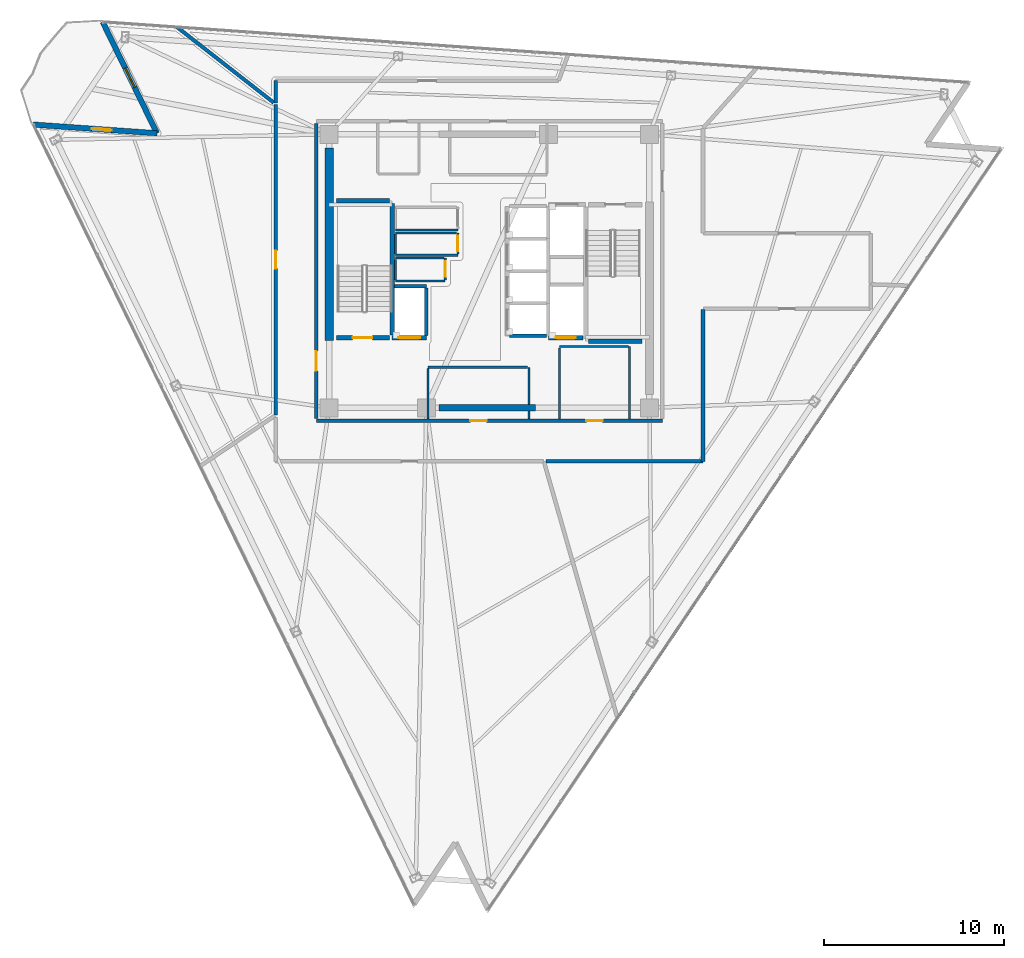
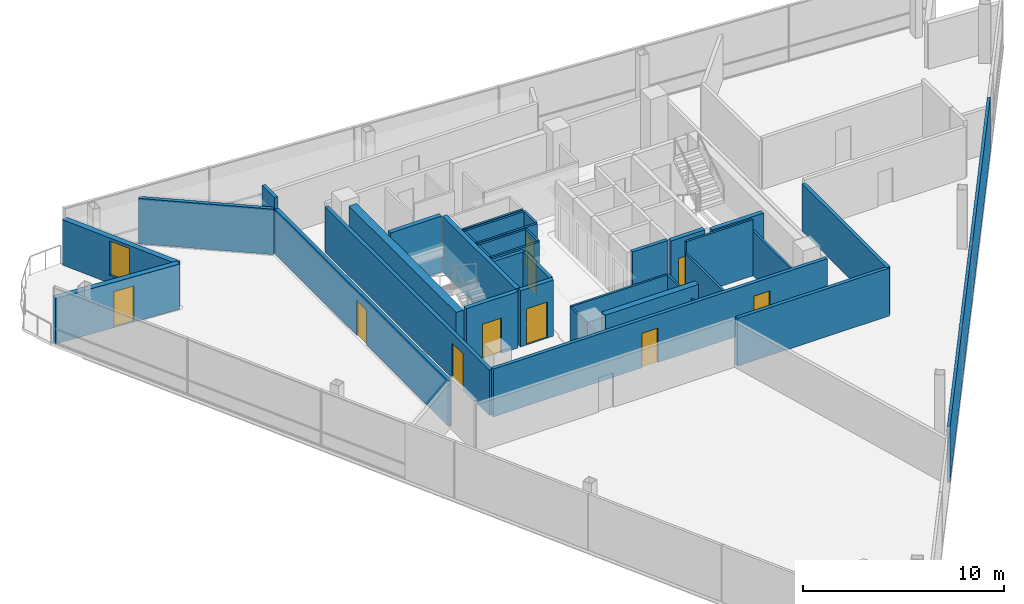
# One storey, part 9 of 14: 37 walls, 10 doors, 1 window, 11 openings.
"""IFC4 building model written with IfcOpenShell, lengths in metres."""

import ifcopenshell
import ifcopenshell.guid

model = None  # the IFC model being written
_history = None  # IfcOwnerHistory: only IFC2X3 demands one
_inside = {}  # id of a spatial element -> (the spatial element, [elements in it])
_under = {}  # id of a project, library or spatial element -> (it, [spatial elements below it])
_declared = {}  # id of a project -> (the project, [libraries it declares])
_typed = {}  # id of a type object -> (the type object, [elements of that type])
_made_of = {}  # id of a material, layer set ... -> (it, [elements and type objects made of it])


def new_model(schema):
    """Start an empty IFC model of exactly this schema.

    Asked for "IFC4X3", IfcOpenShell would pick the latest addendum, in which some entities
    have other attributes; the version numbers below select the first issue.
    IFC2X3 requires an IfcOwnerHistory on every rooted entity: one is made here for all.
    """
    global model, _history
    if schema == "IFC4X3":
        model = ifcopenshell.file(schema_version=(4, 3, 0, 0))
    else:
        model = ifcopenshell.file(schema=schema)
    _inside.clear()
    _under.clear()
    _declared.clear()
    _typed.clear()
    _made_of.clear()
    _history = None
    if model.schema == "IFC2X3":
        org = make("IfcOrganization", Name="unknown")
        user = make(
            "IfcPersonAndOrganization",
            ThePerson=make("IfcPerson", FamilyName="unknown"),
            TheOrganization=org,
        )
        app = make(
            "IfcApplication",
            ApplicationDeveloper=org,
            Version="unknown",
            ApplicationFullName="unknown",
            ApplicationIdentifier="unknown",
        )
        _history = make(
            "IfcOwnerHistory",
            OwningUser=user,
            OwningApplication=app,
            ChangeAction="ADDED",
            CreationDate=0,
        )
    return model


def make(cls, **values):
    """One entity of the class cls with the attributes given. An attribute that is None is left unset."""
    return model.create_entity(
        cls, **{name: value for name, value in values.items() if value is not None}
    )


def rooted(cls, **values):
    """An entity with a GlobalId (a new one), such as an element, a storey or a relation."""
    return make(cls, GlobalId=ifcopenshell.guid.new(), OwnerHistory=_history, **values)


def si_unit(unit_type, name, prefix=None):
    """IfcSIUnit, for example si_unit("LENGTHUNIT", "METRE", prefix="MILLI")."""
    return make("IfcSIUnit", UnitType=unit_type, Prefix=prefix, Name=name)


def assignment(units):
    """IfcUnitAssignment: the units of a project."""
    return None if units is None else make("IfcUnitAssignment", Units=units)


def point(xyz):
    """IfcCartesianPoint."""
    return None if xyz is None else make("IfcCartesianPoint", Coordinates=xyz)


def direction(xyz):
    """IfcDirection."""
    return None if xyz is None else make("IfcDirection", DirectionRatios=xyz)


def frame(location, z_axis=None, x_axis=None):
    """IfcAxis2Placement3D, a coordinate frame: its origin and axes. An axis left out is left unset."""
    return make(
        "IfcAxis2Placement3D",
        Location=point(location),
        Axis=direction(z_axis),
        RefDirection=direction(x_axis),
    )


def frame_2d(location, x_axis=None):
    """IfcAxis2Placement2D, a coordinate frame in the plane: its origin and x axis."""
    return make(
        "IfcAxis2Placement2D", Location=point(location), RefDirection=direction(x_axis)
    )


def origin():
    """The frame at (0, 0, 0) with its axes left unset."""
    return frame((0.0, 0.0, 0.0))


def place(relative_to, where):
    """IfcLocalPlacement: puts the frame where relative to a parent placement (None: the world)."""
    return make(
        "IfcLocalPlacement", PlacementRelTo=relative_to, RelativePlacement=where
    )


def context(
    kind, dimensions, precision=None, world=None, true_north=None, identifier=None
):
    """IfcGeometricRepresentationContext, for example the 3D "Model" context."""
    return make(
        "IfcGeometricRepresentationContext",
        ContextIdentifier=identifier,
        ContextType=kind,
        CoordinateSpaceDimension=dimensions,
        Precision=precision,
        WorldCoordinateSystem=world,
        TrueNorth=true_north,
    )


def subcontext(parent, identifier, kind, view, scale=None):
    """IfcGeometricRepresentationSubContext, for example "Body" below "Model"."""
    return make(
        "IfcGeometricRepresentationSubContext",
        ContextIdentifier=identifier,
        ContextType=kind,
        ParentContext=parent,
        TargetScale=scale,
        TargetView=view,
    )


def project(units=None, contexts=None):
    """IfcProject with its units and contexts."""
    return rooted(
        "IfcProject",
        Name="project",
        RepresentationContexts=contexts,
        UnitsInContext=assignment(units),
    )


def spatial(cls, under=None, at=None, **own):
    """A site, building, storey or space (cls), placed at a placement, below another one or the project."""
    s = rooted(cls, ObjectPlacement=at, **own)
    if under is not None:
        _under.setdefault(under.id(), (under, []))[1].append(s)
    return s


def profile(cls, at=None, kind="AREA", **sizes):
    """A parametric profile (cls). Its sizes go by their IFC names, for example OverallWidth=200.0."""
    return make(cls, ProfileType=kind, Position=at, **sizes)


def rectangle(**sizes):
    """IfcRectangleProfileDef."""
    return profile("IfcRectangleProfileDef", **sizes)


def extrude(swept, where, along, depth):
    """IfcExtrudedAreaSolid: the profile swept, set in the frame where, extruded along a direction by depth."""
    return make(
        "IfcExtrudedAreaSolid",
        SweptArea=swept,
        Position=where,
        ExtrudedDirection=direction(along),
        Depth=depth,
    )


def shape(context_of_items, identifier, shape_type, items):
    """IfcShapeRepresentation: the items that make up one representation, for example the "Body"."""
    return make(
        "IfcShapeRepresentation",
        ContextOfItems=context_of_items,
        RepresentationIdentifier=identifier,
        RepresentationType=shape_type,
        Items=items,
    )


def material(Name=None, Category=None):
    """IfcMaterial."""
    return make("IfcMaterial", Name=Name, Category=Category)


def layer(
    of_material, thickness, ventilated=None, Name=None, Category=None, Priority=None
):
    """IfcMaterialLayer: one layer of a wall or slab, of a material (None: an air gap)."""
    return make(
        "IfcMaterialLayer",
        Material=of_material,
        LayerThickness=thickness,
        IsVentilated=ventilated,
        Name=Name,
        Category=Category,
        Priority=Priority,
    )


def layer_set(layers, Name=None):
    """IfcMaterialLayerSet."""
    return make("IfcMaterialLayerSet", MaterialLayers=layers, LayerSetName=Name)


def made_of(thing, what):
    """Note that an element or type object is made of a material, layer set ...; save() writes the relation."""
    if what is not None:
        _made_of.setdefault(what.id(), (what, []))[1].append(thing)
    return thing


def type_object(cls, material=None, **own):
    """A type object (cls), such as IfcWallType, which elements share."""
    return made_of(rooted(cls, **own), material)


def element(
    cls,
    number,
    at=None,
    inside=None,
    cuts=None,
    type_object=None,
    material=None,
    context=None,
    identifier="Body",
    shape_type=None,
    held_by="IfcProductDefinitionShape",
    body=None,
    shapes=None,
    **own,
):
    """One element of the class cls, such as IfcWall. Its Tag is "e" and its number.

    at: its placement. inside: the storey or other place that contains it. cuts: it is an
    opening in that element (IfcRelVoidsElement). A single representation is given by context,
    identifier, shape_type and body (its items); several are given by shapes. held_by: the class
    of the entity that holds the representations. save() writes the other relations.
    """
    e = rooted(cls, Tag="e%d" % number, ObjectPlacement=at, **own)
    if body is not None:
        shapes = [shape(context, identifier, shape_type, body)]
    if shapes is not None:
        e.Representation = make(held_by, Representations=shapes)
    if inside is not None:
        _inside.setdefault(inside.id(), (inside, []))[1].append(e)
    if cuts is not None:
        rooted(
            "IfcRelVoidsElement", RelatingBuildingElement=cuts, RelatedOpeningElement=e
        )
    if type_object is not None:
        _typed.setdefault(type_object.id(), (type_object, []))[1].append(e)
    return made_of(e, material)


def fill(opening, filler):
    """IfcRelFillsElement: the door or window that sits in an opening."""
    return rooted(
        "IfcRelFillsElement",
        RelatingOpeningElement=opening,
        RelatedBuildingElement=filler,
    )


def aggregate(whole, parts):
    """IfcRelAggregates: a whole, such as a stair, and the parts it consists of."""
    return rooted("IfcRelAggregates", RelatingObject=whole, RelatedObjects=parts)


def save(model, path):
    """Write the relations noted so far, then the file.

    IfcRelAggregates (storeys below a building ...), IfcRelContainedInSpatialStructure (elements
    in a storey), IfcRelDefinesByType, IfcRelAssociatesMaterial and IfcRelDeclares: one each for
    every whole, place, type object, material and project.
    """
    for whole, parts in _under.values():
        aggregate(whole, parts)
    for where, things in _inside.values():
        rooted(
            "IfcRelContainedInSpatialStructure",
            RelatedElements=things,
            RelatingStructure=where,
        )
    for kind, things in _typed.values():
        rooted("IfcRelDefinesByType", RelatedObjects=things, RelatingType=kind)
    for what, things in _made_of.values():
        rooted("IfcRelAssociatesMaterial", RelatedObjects=things, RelatingMaterial=what)
    for by, libraries in _declared.values():
        rooted("IfcRelDeclares", RelatingContext=by, RelatedDefinitions=libraries)
    model.write(path)


model = new_model("IFC4")

# Units and contexts
model_context = context("Model", 3, precision=1e-05, world=origin(), true_north=direction((0.0, 1.0)))
body_context = subcontext(model_context, "Body", "Model", "MODEL_VIEW")
ifc_project = project(units=[si_unit("LENGTHUNIT", "METRE"), si_unit("AREAUNIT", "SQUARE_METRE"), si_unit("VOLUMEUNIT", "CUBIC_METRE"), si_unit("PLANEANGLEUNIT", "RADIAN"), si_unit("MASSUNIT", "GRAM", prefix="KILO")], contexts=[model_context])

# Site, building, storey
site_placement = place(None, origin())
site = spatial("IfcSite", under=ifc_project, at=site_placement, CompositionType="ELEMENT")
building_placement = place(site_placement, origin())
building = spatial("IfcBuilding", under=site, at=building_placement, Name="Tharavind Bronze Gate", CompositionType="ELEMENT")
storey_placement = place(building_placement, frame((0.0, 0.0, 230.64990234375)))
storey = spatial("IfcBuildingStorey", under=building, at=storey_placement, Name="L59", CompositionType="ELEMENT", Elevation=230.64990234375)

# Wall, opening, window
ifc_material_1 = material(Name="Concrete C40/50", Category="concrete")
ifc_layer_1 = layer(ifc_material_1, 0.300048828125)
ifc_layer_set_1 = layer_set([ifc_layer_1], Name="Concrete C40/50")
wall_type_1 = type_object("IfcWallType", Name="EXTERIOR SPANDREL WALL 300", PredefinedType="STANDARD", material=ifc_layer_set_1)
wall_1_placement = place(storey_placement, frame((-21.489990234375, 13.844482421875, 0.0), z_axis=(0.0, 0.0, 1.0), x_axis=(0.438391471143, -0.898784133165, 0.0)))
wall_1 = element("IfcWall", 1, at=wall_1_placement, inside=storey, type_object=wall_type_1, Name="L59 notch cheek wall 1A", PredefinedType="STANDARD", context=body_context, shape_type="SweptSolid", body=[
    extrude(rectangle(XDim=6.8798828125, YDim=0.300048828125, at=frame_2d((3.43994140625, 0.0))), origin(), (0.0, 0.0, 1.0), 2.76513671875),
])
opening_1_placement = place(wall_1_placement, frame((2.840087890625, 0.0, 0.485107421875)))
opening_1 = element("IfcOpeningElement", 2, at=opening_1_placement, cuts=wall_1, Name="Opening W01", PredefinedType="OPENING", context=body_context, shape_type="SweptSolid", body=[
    extrude(rectangle(XDim=1.199951171875, YDim=2.10009765625, at=frame_2d((0.60009765625, 1.050048828125))), frame((0.0, 0.15990234375, 0.0), z_axis=(0.0, -1.0, 0.0), x_axis=(1.0, 0.0, 0.0)), (0.0, 0.0, 1.0), 0.320048828125),
])
ifc_material_2 = material(Name="Bronze Aluminium & Low-E Glass", Category="aluminium")
window_type = type_object("IfcWindowType", Name="FIXED BRONZE CASEMENT WINDOW 1200X2100", PartitioningType="SINGLE_PANEL", PredefinedType="WINDOW", material=ifc_material_2)
window_placement = place(opening_1_placement, origin())
window = element("IfcWindow", 3, at=window_placement, inside=storey, type_object=window_type, Name="L59 exterior window WL-L59-NCB1-01", OverallHeight=2.10009765625, OverallWidth=1.199951171875, PartitioningType="SINGLE_PANEL", PredefinedType="WINDOW", context=body_context, shape_type="SweptSolid", body=[
    extrude(rectangle(XDim=1.199951171875, YDim=2.10009765625, at=frame_2d((0.60009765625, 1.050048828125))), frame((0.0, 0.030029296875, 0.0), z_axis=(0.0, -1.0, 0.0), x_axis=(1.0, 0.0, 0.0)), (0.0, 0.0, 1.0), 0.06005859375),
])
fill(opening_1, window)

# Wall, opening, door
wall_2_placement = place(storey_placement, frame((-18.473876953125, 7.660888671875, 0.0), z_axis=(0.0, 0.0, 1.0), x_axis=(-0.997565982203, 0.069728840176, 0.0)))
wall_2 = element("IfcWall", 4, at=wall_2_placement, inside=storey, type_object=wall_type_1, Name="L59 notch cheek wall 1B", PredefinedType="STANDARD", context=body_context, shape_type="SweptSolid", body=[
    extrude(rectangle(XDim=6.880126953125, YDim=0.300048828125, at=frame_2d((3.43994140625, 0.0))), origin(), (0.0, 0.0, 1.0), 2.76513671875),
])
opening_2_placement = place(wall_2_placement, frame((2.531982421875, 0.0, 0.0)))
opening_2 = element("IfcOpeningElement", 5, at=opening_2_placement, cuts=wall_2, Name="Opening ED04", PredefinedType="OPENING", context=body_context, shape_type="SweptSolid", body=[
    extrude(rectangle(XDim=1.10009765625, YDim=2.199951171875, at=frame_2d((0.550048828125, 1.10009765625))), frame((0.0, 0.15990234375, 0.0), z_axis=(0.0, -1.0, 0.0), x_axis=(1.0, 0.0, 0.0)), (0.0, 0.0, 1.0), 0.320048828125),
])
ifc_material_3 = material(Name="Bronze Aluminium & Toughened Glass", Category="aluminium")
door_type_1 = type_object("IfcDoorType", Name="TREE BALCONY ACCESS DOOR 1100X2200", OperationType="SINGLE_SWING_LEFT", PredefinedType="DOOR", material=ifc_material_3)
door_1_placement = place(opening_2_placement, frame((1.10009765625, 0.0, 0.0), z_axis=(0.0, 0.0, 1.0), x_axis=(-1.0, 0.0, 0.0)))
door_1 = element("IfcDoor", 6, at=door_1_placement, inside=storey, type_object=door_type_1, Name="L59 tree balcony access door", OperationType="SINGLE_SWING_LEFT", OverallHeight=2.199951171875, OverallWidth=1.10009765625, PredefinedType="DOOR", context=body_context, shape_type="SweptSolid", body=[
    extrude(rectangle(XDim=1.10009765625, YDim=2.199951171875, at=frame_2d((0.550048828125, 1.10009765625))), frame((0.0, 0.02490234375, 0.0), z_axis=(0.0, -1.0, 0.0), x_axis=(1.0, 0.0, 0.0)), (0.0, 0.0, 1.0), 0.050048828125),
])
fill(opening_2, door_1)

# Wall, openings, doors
ifc_material_4 = material(Name="Aerated Concrete Block", Category="concrete")
ifc_layer_2 = layer(ifc_material_4, 0.199951171875)
ifc_layer_set_2 = layer_set([ifc_layer_2], Name="Aerated Concrete Block")
wall_type_2 = type_object("IfcWallType", Name="FIRE RATED PARTITION 200", PredefinedType="PARTITIONING", material=ifc_layer_set_2)
wall_3_placement = place(storey_placement, frame((-9.6201171875, -8.320068359375, 0.0), z_axis=(0.0, 0.0, 1.0), x_axis=(1.0, 0.0, 0.0)))
wall_3 = element("IfcWall", 7, at=wall_3_placement, inside=storey, type_object=wall_type_2, Name="L59 south core corridor wall", PredefinedType="PARTITIONING", context=body_context, shape_type="SweptSolid", body=[
    extrude(rectangle(XDim=19.240234375, YDim=0.199951171875, at=frame_2d((9.6201171875, 0.0))), origin(), (0.0, 0.0, 1.0), 2.9150390625),
])
opening_3_placement = place(wall_3_placement, frame((8.570068359375, 0.0, 0.0)))
opening_3 = element("IfcOpeningElement", 8, at=opening_3_placement, cuts=wall_3, Name="Opening ID07", PredefinedType="OPENING", context=body_context, shape_type="SweptSolid", body=[
    extrude(rectangle(XDim=0.89990234375, YDim=2.10009765625, at=frame_2d((0.449951171875, 1.050048828125))), frame((0.0, 0.11009765625, 0.0), z_axis=(0.0, -1.0, 0.0), x_axis=(1.0, 0.0, 0.0)), (0.0, 0.0, 1.0), 0.219951171875),
])
opening_4_placement = place(wall_3_placement, frame((15.02001953125, 0.0, 0.0)))
opening_4 = element("IfcOpeningElement", 9, at=opening_4_placement, cuts=wall_3, Name="Opening ID07", PredefinedType="OPENING", context=body_context, shape_type="SweptSolid", body=[
    extrude(rectangle(XDim=0.89990234375, YDim=2.10009765625, at=frame_2d((0.449951171875, 1.050048828125))), frame((0.0, 0.11009765625, 0.0), z_axis=(0.0, -1.0, 0.0), x_axis=(1.0, 0.0, 0.0)), (0.0, 0.0, 1.0), 0.219951171875),
])
ifc_material_5 = material(Name="Galvanised Fire Steel", Category="steel")
door_type_2 = type_object("IfcDoorType", Name="PLANT AND RISER FIRE DOOR 900X2100", OperationType="SINGLE_SWING_LEFT", PredefinedType="DOOR", material=ifc_material_5)
door_2_placement = place(opening_3_placement, origin())
door_2 = element("IfcDoor", 10, at=door_2_placement, inside=storey, type_object=door_type_2, Name="L59 Core BMS Control Room fire door", OperationType="SINGLE_SWING_LEFT", OverallHeight=2.10009765625, OverallWidth=0.89990234375, PredefinedType="DOOR", context=body_context, shape_type="SweptSolid", body=[
    extrude(rectangle(XDim=0.89990234375, YDim=2.10009765625, at=frame_2d((0.449951171875, 1.050048828125))), frame((0.0, 0.02490234375, 0.0), z_axis=(0.0, -1.0, 0.0), x_axis=(1.0, 0.0, 0.0)), (0.0, 0.0, 1.0), 0.050048828125),
])
fill(opening_3, door_2)
door_3_placement = place(opening_4_placement, origin())
door_3 = element("IfcDoor", 11, at=door_3_placement, inside=storey, type_object=door_type_2, Name="L59 Telecom Metering Room fire door", OperationType="SINGLE_SWING_LEFT", OverallHeight=2.10009765625, OverallWidth=0.89990234375, PredefinedType="DOOR", context=body_context, shape_type="SweptSolid", body=[
    extrude(rectangle(XDim=0.89990234375, YDim=2.10009765625, at=frame_2d((0.449951171875, 1.050048828125))), frame((0.0, 0.02490234375, 0.0), z_axis=(0.0, -1.0, 0.0), x_axis=(1.0, 0.0, 0.0)), (0.0, 0.0, 1.0), 0.050048828125),
])
fill(opening_4, door_3)

# Wall, opening, door
wall_4_placement = place(storey_placement, frame((-9.6201171875, 8.199951171875, 0.0), z_axis=(0.0, 0.0, 1.0), x_axis=(0.0, -1.0, 0.0)))
wall_4 = element("IfcWall", 12, at=wall_4_placement, inside=storey, type_object=wall_type_2, Name="L59 west core corridor wall", PredefinedType="PARTITIONING", context=body_context, shape_type="SweptSolid", body=[
    extrude(rectangle(XDim=16.39990234375, YDim=0.199951171875, at=frame_2d((8.199951171875, 0.0))), origin(), (0.0, 0.0, 1.0), 2.76513671875),
])
opening_5_placement = place(wall_4_placement, frame((12.64990234375, 0.0, 0.0)))
opening_5 = element("IfcOpeningElement", 13, at=opening_5_placement, cuts=wall_4, Name="Opening ID01", PredefinedType="OPENING", context=body_context, shape_type="SweptSolid", body=[
    extrude(rectangle(XDim=1.10009765625, YDim=2.14990234375, at=frame_2d((0.550048828125, 1.074951171875))), frame((0.0, 0.11009765625, 0.0), z_axis=(0.0, -1.0, 0.0), x_axis=(1.0, 0.0, 0.0)), (0.0, 0.0, 1.0), 0.219951171875),
])
ifc_material_6 = material(Name="Fire-Rated Steel", Category="steel")
door_type_3 = type_object("IfcDoorType", Name="STAIR CORE FIRE DOOR 1100X2150", OperationType="SINGLE_SWING_LEFT", PredefinedType="DOOR", material=ifc_material_6)
door_4_placement = place(opening_5_placement, frame((1.10009765625, 0.0, 0.0), z_axis=(0.0, 0.0, 1.0), x_axis=(-1.0, 0.0, 0.0)))
door_4 = element("IfcDoor", 14, at=door_4_placement, inside=storey, type_object=door_type_3, Name="L59 south west stair lobby fire door", OperationType="SINGLE_SWING_LEFT", OverallHeight=2.14990234375, OverallWidth=1.10009765625, PredefinedType="DOOR", context=body_context, shape_type="SweptSolid", body=[
    extrude(rectangle(XDim=1.10009765625, YDim=2.14990234375, at=frame_2d((0.550048828125, 1.074951171875))), frame((0.0, 0.02490234375, 0.0), z_axis=(0.0, -1.0, 0.0), x_axis=(1.0, 0.0, 0.0)), (0.0, 0.0, 1.0), 0.050048828125),
])
fill(opening_5, door_4)

# Walls
wall_5_placement = place(storey_placement, frame((3.14306640625, -10.580078125, 0.0), z_axis=(0.0, 0.0, 1.0), x_axis=(1.0, 0.0, 0.0)))
element("IfcWall", 15, at=wall_5_placement, inside=storey, type_object=wall_type_2, Name="L59 Public Restrooms Block partition", PredefinedType="PARTITIONING", context=body_context, shape_type="SweptSolid", body=[
    extrude(rectangle(XDim=8.736328125, YDim=0.199951171875, at=frame_2d((4.3681640625, 0.0))), origin(), (0.0, 0.0, 1.0), 2.9150390625),
])
wall_6_placement = place(storey_placement, frame((11.8798828125, -10.579345703125, 0.0), z_axis=(0.0, 0.0, 1.0), x_axis=(0.0, 1.0, 0.0)))
element("IfcWall", 16, at=wall_6_placement, inside=storey, type_object=wall_type_2, Name="L59 Public Restrooms Block partition", PredefinedType="PARTITIONING", context=body_context, shape_type="SweptSolid", body=[
    extrude(rectangle(XDim=8.454345703125, YDim=0.199951171875, at=frame_2d((4.22705078125, 0.0))), origin(), (0.0, 0.0, 1.0), 2.9150390625),
])
wall_7_placement = place(storey_placement, frame((-11.8798828125, 10.579345703125, 0.0), z_axis=(0.0, 0.0, 1.0), x_axis=(0.0, -1.0, 0.0)))
element("IfcWall", 17, at=wall_7_placement, inside=storey, type_object=wall_type_2, Name="L59 Aerospace Design Open Office partition", PredefinedType="PARTITIONING", context=body_context, shape_type="SweptSolid", body=[
    extrude(rectangle(XDim=1.246337890625, YDim=0.199951171875, at=frame_2d((0.623046875, 0.0))), origin(), (0.0, 0.0, 1.0), 3.420166015625),
])
wall_8_placement = place(storey_placement, frame((-11.985107421875, 9.36376953125, 0.0), z_axis=(0.0, 0.0, 1.0), x_axis=(-0.788014043204, 0.61565726481, 0.0)))
element("IfcWall", 18, at=wall_8_placement, inside=storey, type_object=wall_type_2, Name="L59 Aerospace Design Open Office partition", PredefinedType="PARTITIONING", context=body_context, shape_type="SweptSolid", body=[
    extrude(rectangle(XDim=6.8076171875, YDim=0.199951171875, at=frame_2d((3.40380859375, 0.0))), origin(), (0.0, 0.0, 1.0), 2.76513671875),
])

# Wall, opening, door
wall_9_placement = place(storey_placement, frame((-11.8798828125, 9.26953125, 0.0), z_axis=(0.0, 0.0, 1.0), x_axis=(0.0, -1.0, 0.0)))
wall_9 = element("IfcWall", 19, at=wall_9_placement, inside=storey, type_object=wall_type_2, Name="L59 Flight Systems Office partition", PredefinedType="PARTITIONING", context=body_context, shape_type="SweptSolid", body=[
    extrude(rectangle(XDim=17.26953125, YDim=0.199951171875, at=frame_2d((8.634765625, 0.0))), origin(), (0.0, 0.0, 1.0), 2.76513671875),
])
opening_6_placement = place(wall_9_placement, frame((8.135009765625, 0.0, 0.0)))
opening_6 = element("IfcOpeningElement", 20, at=opening_6_placement, cuts=wall_9, Name="Opening ID04", PredefinedType="OPENING", context=body_context, shape_type="SweptSolid", body=[
    extrude(rectangle(XDim=1.0, YDim=2.14990234375, at=frame_2d((0.5, 1.074951171875))), frame((0.0, 0.11009765625, 0.0), z_axis=(0.0, -1.0, 0.0), x_axis=(1.0, 0.0, 0.0)), (0.0, 0.0, 1.0), 0.219951171875),
])
ifc_material_7 = material(Name="Bronze Framed Acoustic Timber", Category="wood")
door_type_4 = type_object("IfcDoorType", Name="OFFICE TENANCY DOOR 1000X2150", OperationType="SINGLE_SWING_RIGHT", PredefinedType="DOOR", material=ifc_material_7)
door_5_placement = place(opening_6_placement, origin())
door_5 = element("IfcDoor", 21, at=door_5_placement, inside=storey, type_object=door_type_4, Name="L59 Flight Systems Office door", OperationType="SINGLE_SWING_RIGHT", OverallHeight=2.14990234375, OverallWidth=1.0, PredefinedType="DOOR", context=body_context, shape_type="SweptSolid", body=[
    extrude(rectangle(XDim=1.0, YDim=2.14990234375, at=frame_2d((0.5, 1.074951171875))), frame((0.0, 0.02490234375, 0.0), z_axis=(0.0, -1.0, 0.0), x_axis=(1.0, 0.0, 0.0)), (0.0, 0.0, 1.0), 0.050048828125),
])
fill(opening_6, door_5)

# Walls
ifc_material_8 = material(Name="Metal Stud Gypsum Partition", Category="gypsum")
ifc_layer_3 = layer(ifc_material_8, 0.1201171875)
ifc_layer_set_3 = layer_set([ifc_layer_3], Name="Metal Stud Gypsum Partition")
wall_type_3 = type_object("IfcWallType", Name="INTERIOR PARTITION WALL 120", PredefinedType="PARTITIONING", material=ifc_layer_set_3)
for number, where, z_axis, x_axis, name in (
    (22, (-5.219970703125, 2.280029296875, 0.0), (0.0, 0.0, 1.0), (1.0, 0.0, 0.0), "L59 Housekeeping Linen Store partition 1"),
    (23, (-5.219970703125, 0.8798828125, 0.0), (0.0, 0.0, 1.0), (1.0, 0.0, 0.0), "L59 Comms Data Room partition 1"),
):
    element("IfcWall", number, at=place(storey_placement, frame(where, z_axis=z_axis, x_axis=x_axis)), inside=storey, type_object=wall_type_3, Name=name, PredefinedType="PARTITIONING", context=body_context, shape_type="SweptSolid", body=[
        extrude(rectangle(XDim=3.469970703125, YDim=0.1201171875, at=frame_2d((1.73486328125, 0.0))), origin(), (0.0, 0.0, 1.0), 3.420166015625),
    ])

# Wall, opening, door
wall_10_placement = place(storey_placement, frame((-1.75, 0.945068359375, 0.0), z_axis=(0.0, 0.0, 1.0), x_axis=(0.0, 1.0, 0.0)))
wall_10 = element("IfcWall", 24, at=wall_10_placement, inside=storey, type_object=wall_type_3, Name="L59 Comms Data Room partition 2", PredefinedType="PARTITIONING", context=body_context, shape_type="SweptSolid", body=[
    extrude(rectangle(XDim=1.175048828125, YDim=0.1201171875, at=frame_2d((0.58740234375, 0.0))), origin(), (0.0, 0.0, 1.0), 3.420166015625),
])
opening_7_placement = place(wall_10_placement, frame((0.1630859375, 0.0, 0.0)))
opening_7 = element("IfcOpeningElement", 25, at=opening_7_placement, cuts=wall_10, Name="Opening ID06", PredefinedType="OPENING", context=body_context, shape_type="SweptSolid", body=[
    extrude(rectangle(XDim=0.85009765625, YDim=2.10009765625, at=frame_2d((0.425048828125, 1.050048828125))), frame((0.0, 0.07005859375, 0.0), z_axis=(0.0, -1.0, 0.0), x_axis=(1.0, 0.0, 0.0)), (0.0, 0.0, 1.0), 0.1401171875),
])
ifc_material_9 = material(Name="Moisture-Resistant Timber", Category="wood")
door_type_5 = type_object("IfcDoorType", Name="BATHROOM PRIVACY DOOR 850X2100", OperationType="SINGLE_SWING_RIGHT", PredefinedType="DOOR", material=ifc_material_9)
door_6_placement = place(opening_7_placement, frame((0.85009765625, 0.0, 0.0), z_axis=(0.0, 0.0, 1.0), x_axis=(-1.0, 0.0, 0.0)))
door_6 = element("IfcDoor", 26, at=door_6_placement, inside=storey, type_object=door_type_5, Name="L59 Comms Data Room door", OperationType="SINGLE_SWING_RIGHT", OverallHeight=2.10009765625, OverallWidth=0.85009765625, PredefinedType="DOOR", context=body_context, shape_type="SweptSolid", body=[
    extrude(rectangle(XDim=0.85009765625, YDim=2.10009765625, at=frame_2d((0.425048828125, 1.050048828125))), frame((0.0, 0.02490234375, 0.0), z_axis=(0.0, -1.0, 0.0), x_axis=(1.0, 0.0, 0.0)), (0.0, 0.0, 1.0), 0.050048828125),
])
fill(opening_7, door_6)

# Walls
wall_11_placement = place(storey_placement, frame((-1.81494140625, 2.1201171875, 0.0), z_axis=(0.0, 0.0, 1.0), x_axis=(-1.0, 0.0, 0.0)))
element("IfcWall", 27, at=wall_11_placement, inside=storey, type_object=wall_type_3, Name="L59 Comms Data Room partition 3", PredefinedType="PARTITIONING", context=body_context, shape_type="SweptSolid", body=[
    extrude(rectangle(XDim=3.405029296875, YDim=0.1201171875, at=frame_2d((1.70263671875, 0.0))), origin(), (0.0, 0.0, 1.0), 3.420166015625),
])
wall_12_placement = place(storey_placement, frame((-5.219970703125, 2.054931640625, 0.0), z_axis=(0.0, 0.0, 1.0), x_axis=(0.0, -1.0, 0.0)))
element("IfcWall", 28, at=wall_12_placement, inside=storey, type_object=wall_type_3, Name="L59 Comms Data Room partition 4", PredefinedType="PARTITIONING", context=body_context, shape_type="SweptSolid", body=[
    extrude(rectangle(XDim=1.10986328125, YDim=0.1201171875, at=frame_2d((0.554931640625, 0.0))), origin(), (0.0, 0.0, 1.0), 3.420166015625),
])
wall_13_placement = place(storey_placement, frame((-5.219970703125, -0.550048828125, 0.0), z_axis=(0.0, 0.0, 1.0), x_axis=(1.0, 0.0, 0.0)))
element("IfcWall", 29, at=wall_13_placement, inside=storey, type_object=wall_type_3, Name="L59 Electrical Metering Store partition 1", PredefinedType="PARTITIONING", context=body_context, shape_type="SweptSolid", body=[
    extrude(rectangle(XDim=2.77001953125, YDim=0.1201171875, at=frame_2d((1.385009765625, 0.0))), origin(), (0.0, 0.0, 1.0), 3.420166015625),
])

# Wall, opening, door
wall_14_placement = place(storey_placement, frame((-2.449951171875, -0.485107421875, 0.0), z_axis=(0.0, 0.0, 1.0), x_axis=(0.0, 1.0, 0.0)))
wall_14 = element("IfcWall", 30, at=wall_14_placement, inside=storey, type_object=wall_type_3, Name="L59 Electrical Metering Store partition 2", PredefinedType="PARTITIONING", context=body_context, shape_type="SweptSolid", body=[
    extrude(rectangle(XDim=1.205078125, YDim=0.1201171875, at=frame_2d((0.6025390625, 0.0))), origin(), (0.0, 0.0, 1.0), 3.420166015625),
])
opening_8_placement = place(wall_14_placement, frame((0.177978515625, 0.0, 0.0)))
opening_8 = element("IfcOpeningElement", 31, at=opening_8_placement, cuts=wall_14, Name="Opening ID06", PredefinedType="OPENING", context=body_context, shape_type="SweptSolid", body=[
    extrude(rectangle(XDim=0.85009765625, YDim=2.10009765625, at=frame_2d((0.425048828125, 1.050048828125))), frame((0.0, 0.07005859375, 0.0), z_axis=(0.0, -1.0, 0.0), x_axis=(1.0, 0.0, 0.0)), (0.0, 0.0, 1.0), 0.1401171875),
])
door_7_placement = place(opening_8_placement, frame((0.85009765625, 0.0, 0.0), z_axis=(0.0, 0.0, 1.0), x_axis=(-1.0, 0.0, 0.0)))
door_7 = element("IfcDoor", 32, at=door_7_placement, inside=storey, type_object=door_type_5, Name="L59 Electrical Metering Store door", OperationType="SINGLE_SWING_RIGHT", OverallHeight=2.10009765625, OverallWidth=0.85009765625, PredefinedType="DOOR", context=body_context, shape_type="SweptSolid", body=[
    extrude(rectangle(XDim=0.85009765625, YDim=2.10009765625, at=frame_2d((0.425048828125, 1.050048828125))), frame((0.0, 0.02490234375, 0.0), z_axis=(0.0, -1.0, 0.0), x_axis=(1.0, 0.0, 0.0)), (0.0, 0.0, 1.0), 0.050048828125),
])
fill(opening_8, door_7)

# Walls
wall_15_placement = place(storey_placement, frame((-2.514892578125, 0.719970703125, 0.0), z_axis=(0.0, 0.0, 1.0), x_axis=(-1.0, 0.0, 0.0)))
element("IfcWall", 33, at=wall_15_placement, inside=storey, type_object=wall_type_3, Name="L59 Electrical Metering Store partition 3", PredefinedType="PARTITIONING", context=body_context, shape_type="SweptSolid", body=[
    extrude(rectangle(XDim=2.705078125, YDim=0.1201171875, at=frame_2d((1.3525390625, 0.0))), origin(), (0.0, 0.0, 1.0), 3.420166015625),
])
wall_16_placement = place(storey_placement, frame((-5.219970703125, 0.655029296875, 0.0), z_axis=(0.0, 0.0, 1.0), x_axis=(0.0, -1.0, 0.0)))
element("IfcWall", 34, at=wall_16_placement, inside=storey, type_object=wall_type_3, Name="L59 Electrical Metering Store partition 4", PredefinedType="PARTITIONING", context=body_context, shape_type="SweptSolid", body=[
    extrude(rectangle(XDim=1.14013671875, YDim=0.1201171875, at=frame_2d((0.570068359375, 0.0))), origin(), (0.0, 0.0, 1.0), 3.420166015625),
])
wall_17_placement = place(storey_placement, frame((2.199951171875, -8.215087890625, 0.0), z_axis=(0.0, 0.0, 1.0), x_axis=(0.0, 1.0, 0.0)))
element("IfcWall", 35, at=wall_17_placement, inside=storey, type_object=wall_type_3, Name="L59 Core BMS Control Room partition 2", PredefinedType="PARTITIONING", context=body_context, shape_type="SweptSolid", body=[
    extrude(rectangle(XDim=0.43505859375, YDim=0.1201171875, at=frame_2d((0.217529296875, 0.0))), origin(), (0.0, 0.0, 1.0), 2.715087890625),
])
wall_18_placement = place(storey_placement, frame((2.199951171875, -7.419921875, 0.0), z_axis=(0.0, 0.0, 1.0), x_axis=(0.0, 1.0, 0.0)))
element("IfcWall", 36, at=wall_18_placement, inside=storey, type_object=wall_type_3, Name="L59 Core BMS Control Room partition 2", PredefinedType="PARTITIONING", context=body_context, shape_type="SweptSolid", body=[
    extrude(rectangle(XDim=2.06982421875, YDim=0.1201171875, at=frame_2d((1.034912109375, 0.0))), origin(), (0.0, 0.0, 1.0), 2.715087890625),
])
wall_19_placement = place(storey_placement, frame((2.135009765625, -5.35009765625, 0.0), z_axis=(0.0, 0.0, 1.0), x_axis=(-1.0, 0.0, 0.0)))
element("IfcWall", 37, at=wall_19_placement, inside=storey, type_object=wall_type_3, Name="L59 Core BMS Control Room partition 3", PredefinedType="PARTITIONING", context=body_context, shape_type="SweptSolid", body=[
    extrude(rectangle(XDim=5.534912109375, YDim=0.1201171875, at=frame_2d((2.767578125, 0.0))), origin(), (0.0, 0.0, 1.0), 2.715087890625),
])
wall_20_placement = place(storey_placement, frame((-3.39990234375, -5.4150390625, 0.0), z_axis=(0.0, 0.0, 1.0), x_axis=(0.0, -1.0, 0.0)))
element("IfcWall", 38, at=wall_20_placement, inside=storey, type_object=wall_type_3, Name="L59 Core BMS Control Room partition 4", PredefinedType="PARTITIONING", context=body_context, shape_type="SweptSolid", body=[
    extrude(rectangle(XDim=2.800048828125, YDim=0.1201171875, at=frame_2d((1.39990234375, 0.0))), origin(), (0.0, 0.0, 1.0), 2.715087890625),
])
wall_21_placement = place(storey_placement, frame((7.800048828125, -8.215087890625, 0.0), z_axis=(0.0, 0.0, 1.0), x_axis=(0.0, 1.0, 0.0)))
element("IfcWall", 39, at=wall_21_placement, inside=storey, type_object=wall_type_3, Name="L59 Telecom Metering Room partition 2", PredefinedType="PARTITIONING", context=body_context, shape_type="SweptSolid", body=[
    extrude(rectangle(XDim=4.01513671875, YDim=0.1201171875, at=frame_2d((2.007568359375, 0.0))), origin(), (0.0, 0.0, 1.0), 2.715087890625),
])
wall_22_placement = place(storey_placement, frame((7.735107421875, -4.199951171875, 0.0), z_axis=(0.0, 0.0, 1.0), x_axis=(-1.0, 0.0, 0.0)))
element("IfcWall", 40, at=wall_22_placement, inside=storey, type_object=wall_type_3, Name="L59 Telecom Metering Room partition 3", PredefinedType="PARTITIONING", context=body_context, shape_type="SweptSolid", body=[
    extrude(rectangle(XDim=3.835205078125, YDim=0.1201171875, at=frame_2d((1.91748046875, 0.0))), origin(), (0.0, 0.0, 1.0), 3.420166015625),
])
wall_23_placement = place(storey_placement, frame((3.89990234375, -4.264892578125, 0.0), z_axis=(0.0, 0.0, 1.0), x_axis=(0.0, -1.0, 0.0)))
element("IfcWall", 41, at=wall_23_placement, inside=storey, type_object=wall_type_3, Name="L59 Telecom Metering Room partition 4", PredefinedType="PARTITIONING", context=body_context, shape_type="SweptSolid", body=[
    extrude(rectangle(XDim=3.9501953125, YDim=0.1201171875, at=frame_2d((1.97509765625, 0.0))), origin(), (0.0, 0.0, 1.0), 2.715087890625),
])
ifc_material_10 = material(Name="Twin Stud Acoustic Gypsum", Category="gypsum")
ifc_layer_4 = layer(ifc_material_10, 0.14990234375)
ifc_layer_set_4 = layer_set([ifc_layer_4], Name="Twin Stud Acoustic Gypsum")
wall_type_4 = type_object("IfcWallType", Name="INTERIOR PARTITION WALL 150", PredefinedType="PARTITIONING", material=ifc_layer_set_4)
wall_24_placement = place(storey_placement, frame((23.24560546875, -0.916748046875, 0.0), z_axis=(0.0, 0.0, 1.0), x_axis=(-0.559194966555, -0.829036180984, 0.0)))
element("IfcWall", 42, at=wall_24_placement, inside=storey, type_object=wall_type_4, Name="L59 Public Restrooms Block partition", PredefinedType="PARTITIONING", context=body_context, shape_type="SweptSolid", body=[
    extrude(rectangle(XDim=28.702392578125, YDim=0.14990234375, at=frame_2d((14.35107421875, 0.0))), origin(), (0.0, 0.0, 1.0), 3.420166015625),
])
ifc_material_11 = material(Name="Concrete C50/60", Category="concrete")
ifc_layer_5 = layer(ifc_material_11, 0.25)
ifc_layer_set_5 = layer_set([ifc_layer_5], Name="Concrete C50/60")
wall_type_5 = type_object("IfcWallType", Name="RC CORE SHEAR WALL 250", PredefinedType="SHEAR", material=ifc_layer_set_5)
wall_25_placement = place(storey_placement, frame((-5.39990234375, -3.550048828125, 0.0), z_axis=(0.0, 0.0, 1.0), x_axis=(0.0, 1.0, 0.0)))
element("IfcWall", 43, at=wall_25_placement, inside=storey, type_object=wall_type_5, Name="L59 ST1 shaft east wall", PredefinedType="SHEAR", context=body_context, shape_type="SweptSolid", body=[
    extrude(rectangle(XDim=7.300048828125, YDim=0.25, at=frame_2d((3.64990234375, 0.0))), origin(), (0.0, 0.0, 1.0), 3.420166015625),
])

# Wall, opening, door
wall_26_placement = place(storey_placement, frame((-8.5, -3.699951171875, 0.0), z_axis=(0.0, 0.0, 1.0), x_axis=(1.0, 0.0, 0.0)))
wall_26 = element("IfcWall", 44, at=wall_26_placement, inside=storey, type_object=wall_type_5, Name="L59 ST1 shaft south wall", PredefinedType="SHEAR", context=body_context, shape_type="SweptSolid", body=[
    extrude(rectangle(XDim=2.949951171875, YDim=0.25, at=frame_2d((1.47509765625, 0.0))), origin(), (0.0, 0.0, 1.0), 3.420166015625),
])
opening_9_placement = place(wall_26_placement, frame((0.89990234375, 0.0, 0.0)))
opening_9 = element("IfcOpeningElement", 45, at=opening_9_placement, cuts=wall_26, Name="Opening ID01", PredefinedType="OPENING", context=body_context, shape_type="SweptSolid", body=[
    extrude(rectangle(XDim=1.10009765625, YDim=2.14990234375, at=frame_2d((0.550048828125, 1.074951171875))), frame((0.0, 0.135, 0.0), z_axis=(0.0, -1.0, 0.0), x_axis=(1.0, 0.0, 0.0)), (0.0, 0.0, 1.0), 0.27),
])
door_8_placement = place(opening_9_placement, origin())
door_8 = element("IfcDoor", 46, at=door_8_placement, inside=storey, type_object=door_type_3, Name="L59 exit stair ST1 fire door", OperationType="SINGLE_SWING_LEFT", OverallHeight=2.14990234375, OverallWidth=1.10009765625, PredefinedType="DOOR", context=body_context, shape_type="SweptSolid", body=[
    extrude(rectangle(XDim=1.10009765625, YDim=2.14990234375, at=frame_2d((0.550048828125, 1.074951171875))), frame((0.0, 0.02490234375, 0.0), z_axis=(0.0, -1.0, 0.0), x_axis=(1.0, 0.0, 0.0)), (0.0, 0.0, 1.0), 0.050048828125),
])
fill(opening_9, door_8)

# Walls
wall_27_placement = place(storey_placement, frame((-8.5, 3.89990234375, 0.0), z_axis=(0.0, 0.0, 1.0), x_axis=(1.0, 0.0, 0.0)))
element("IfcWall", 47, at=wall_27_placement, inside=storey, type_object=wall_type_5, Name="L59 ST1 shaft north wall", PredefinedType="SHEAR", context=body_context, shape_type="SweptSolid", body=[
    extrude(rectangle(XDim=2.949951171875, YDim=0.25, at=frame_2d((1.47509765625, 0.0))), origin(), (0.0, 0.0, 1.0), 3.420166015625),
])
wall_28_placement = place(storey_placement, frame((5.5, -3.89990234375, 0.0), z_axis=(0.0, 0.0, 1.0), x_axis=(1.0, 0.0, 0.0)))
element("IfcWall", 48, at=wall_28_placement, inside=storey, type_object=wall_type_5, Name="L59 ST2 shaft south wall", PredefinedType="SHEAR", context=body_context, shape_type="SweptSolid", body=[
    extrude(rectangle(XDim=3.0, YDim=0.25, at=frame_2d((1.5, 0.0))), origin(), (0.0, 0.0, 1.0), 3.420166015625),
])

# Wall, opening, door
wall_29_placement = place(storey_placement, frame((-5.39990234375, -3.699951171875, 0.0), z_axis=(0.0, 0.0, 1.0), x_axis=(1.0, 0.0, 0.0)))
wall_29 = element("IfcWall", 49, at=wall_29_placement, inside=storey, type_object=wall_type_5, Name="L59 lift FFL1 shaft front wall", PredefinedType="SHEAR", context=body_context, shape_type="SweptSolid", body=[
    extrude(rectangle(XDim=1.89990234375, YDim=0.25, at=frame_2d((0.949951171875, 0.0))), origin(), (0.0, 0.0, 1.0), 3.420166015625),
])
opening_10_placement = place(wall_29_placement, frame((0.35009765625, 0.0, 0.0)))
opening_10 = element("IfcOpeningElement", 50, at=opening_10_placement, cuts=wall_29, Name="Opening LD02", PredefinedType="OPENING", context=body_context, shape_type="SweptSolid", body=[
    extrude(rectangle(XDim=1.199951171875, YDim=2.199951171875, at=frame_2d((0.60009765625, 1.10009765625))), frame((0.0, 0.135, 0.0), z_axis=(0.0, -1.0, 0.0), x_axis=(1.0, 0.0, 0.0)), (0.0, 0.0, 1.0), 0.27),
])
ifc_material_12 = material(Name="Brushed Stainless Steel", Category="steel")
door_type_6 = type_object("IfcDoorType", Name="FIREFIGHTING LIFT LANDING DOOR 1200X2200", OperationType="SLIDING_TO_RIGHT", PredefinedType="DOOR", material=ifc_material_12)
door_9_placement = place(opening_10_placement, origin())
door_9 = element("IfcDoor", 51, at=door_9_placement, inside=storey, type_object=door_type_6, Name="L59 lift FFL1 sliding landing door", OperationType="SLIDING_TO_RIGHT", OverallHeight=2.199951171875, OverallWidth=1.199951171875, PredefinedType="DOOR", context=body_context, shape_type="SweptSolid", body=[
    extrude(rectangle(XDim=1.199951171875, YDim=2.199951171875, at=frame_2d((0.60009765625, 1.10009765625))), frame((0.0, 0.02490234375, 0.0), z_axis=(0.0, -1.0, 0.0), x_axis=(1.0, 0.0, 0.0)), (0.0, 0.0, 1.0), 0.050048828125),
])
fill(opening_10, door_9)

wall_30_placement = place(storey_placement, frame((3.280029296875, -3.699951171875, 0.0), z_axis=(0.0, 0.0, 1.0), x_axis=(1.0, 0.0, 0.0)))
wall_30 = element("IfcWall", 52, at=wall_30_placement, inside=storey, type_object=wall_type_5, Name="L59 lift SVL1 shaft front wall", PredefinedType="SHEAR", context=body_context, shape_type="SweptSolid", body=[
    extrude(rectangle(XDim=1.93994140625, YDim=0.25, at=frame_2d((0.969970703125, 0.0))), origin(), (0.0, 0.0, 1.0), 3.420166015625),
])
opening_11_placement = place(wall_30_placement, frame((0.419921875, 0.0, 0.0)))
opening_11 = element("IfcOpeningElement", 53, at=opening_11_placement, cuts=wall_30, Name="Opening LD01", PredefinedType="OPENING", context=body_context, shape_type="SweptSolid", body=[
    extrude(rectangle(XDim=1.10009765625, YDim=2.199951171875, at=frame_2d((0.550048828125, 1.10009765625))), frame((0.0, 0.135, 0.0), z_axis=(0.0, -1.0, 0.0), x_axis=(1.0, 0.0, 0.0)), (0.0, 0.0, 1.0), 0.27),
])
ifc_material_13 = material(Name="Brushed Bronze Stainless Steel", Category="steel")
door_type_7 = type_object("IfcDoorType", Name="LIFT LANDING SLIDING DOOR 1100X2200", OperationType="SLIDING_TO_LEFT", PredefinedType="DOOR", material=ifc_material_13)
door_10_placement = place(opening_11_placement, origin())
door_10 = element("IfcDoor", 54, at=door_10_placement, inside=storey, type_object=door_type_7, Name="L59 lift SVL1 sliding landing door", OperationType="SLIDING_TO_LEFT", OverallHeight=2.199951171875, OverallWidth=1.10009765625, PredefinedType="DOOR", context=body_context, shape_type="SweptSolid", body=[
    extrude(rectangle(XDim=1.10009765625, YDim=2.199951171875, at=frame_2d((0.550048828125, 1.10009765625))), frame((0.0, 0.02490234375, 0.0), z_axis=(0.0, -1.0, 0.0), x_axis=(1.0, 0.0, 0.0)), (0.0, 0.0, 1.0), 0.050048828125),
])
fill(opening_11, door_10)

# Walls
ifc_layer_6 = layer(ifc_material_11, 0.35009765625)
ifc_layer_set_6 = layer_set([ifc_layer_6], Name="Concrete C50/60")
wall_type_6 = type_object("IfcWallType", Name="RC CORE SHEAR WALL 350", PredefinedType="SHEAR", material=ifc_layer_set_6)
wall_31_placement = place(storey_placement, frame((-2.800048828125, -7.60009765625, 0.0), z_axis=(0.0, 0.0, 1.0), x_axis=(1.0, 0.0, 0.0)))
element("IfcWall", 55, at=wall_31_placement, inside=storey, type_object=wall_type_6, Name="L59 south core shear wall", PredefinedType="SHEAR", context=body_context, shape_type="SweptSolid", body=[
    extrude(rectangle(XDim=5.380126953125, YDim=0.35009765625, at=frame_2d((2.68994140625, 0.0))), origin(), (0.0, 0.0, 1.0), 3.420166015625),
])
ifc_material_14 = material(Name="Concrete C60/75", Category="concrete")
ifc_layer_7 = layer(ifc_material_14, 0.449951171875)
ifc_layer_set_7 = layer_set([ifc_layer_7], Name="Concrete C60/75")
wall_type_7 = type_object("IfcWallType", Name="RC CORE SHEAR WALL 450", PredefinedType="SHEAR", material=ifc_layer_set_7)
wall_32_placement = place(storey_placement, frame((-8.89990234375, -3.85009765625, 0.0), z_axis=(0.0, 0.0, 1.0), x_axis=(0.0, 1.0, 0.0)))
element("IfcWall", 56, at=wall_32_placement, inside=storey, type_object=wall_type_7, Name="L59 west core shear wall", PredefinedType="SHEAR", context=body_context, shape_type="SweptSolid", body=[
    extrude(rectangle(XDim=10.7001953125, YDim=0.449951171875, at=frame_2d((5.35009765625, 0.0))), origin(), (0.0, 0.0, 1.0), 3.420166015625),
])
ifc_layer_8 = layer(ifc_material_1, 0.199951171875)
ifc_layer_set_8 = layer_set([ifc_layer_8], Name="Concrete C40/50")
wall_type_8 = type_object("IfcWallType", Name="SHAFT ENCLOSURE WALL 200", PredefinedType="PARTITIONING", material=ifc_layer_set_8)
wall_33_placement = place(storey_placement, frame((1.1298828125, -3.60009765625, 0.0), z_axis=(0.0, 0.0, 1.0), x_axis=(1.0, 0.0, 0.0)))
element("IfcWall", 57, at=wall_33_placement, inside=storey, type_object=wall_type_8, Name="L59 lift PL9 shaft S enclosure wall", PredefinedType="PARTITIONING", context=body_context, shape_type="SweptSolid", body=[
    extrude(rectangle(XDim=2.045166015625, YDim=0.199951171875, at=frame_2d((1.0224609375, 0.0))), origin(), (0.0, 0.0, 1.0), 3.420166015625),
])
wall_34_placement = place(storey_placement, frame((-5.27001953125, -0.85009765625, 0.0), z_axis=(0.0, 0.0, 1.0), x_axis=(1.0, 0.0, 0.0)))
element("IfcWall", 58, at=wall_34_placement, inside=storey, type_object=wall_type_8, Name="L59 lift FFL1 shaft N enclosure wall", PredefinedType="PARTITIONING", context=body_context, shape_type="SweptSolid", body=[
    extrude(rectangle(XDim=1.77001953125, YDim=0.199951171875, at=frame_2d((0.885009765625, 0.0))), origin(), (0.0, 0.0, 1.0), 3.420166015625),
])
wall_35_placement = place(storey_placement, frame((-3.5, -3.570068359375, 0.0), z_axis=(0.0, 0.0, 1.0), x_axis=(0.0, 1.0, 0.0)))
element("IfcWall", 59, at=wall_35_placement, inside=storey, type_object=wall_type_8, Name="L59 lift FFL1 shaft E enclosure wall", PredefinedType="PARTITIONING", context=body_context, shape_type="SweptSolid", body=[
    extrude(rectangle(XDim=2.614990234375, YDim=0.199951171875, at=frame_2d((1.3076171875, 0.0))), origin(), (0.0, 0.0, 1.0), 3.420166015625),
])

save(model, "model.ifc")
